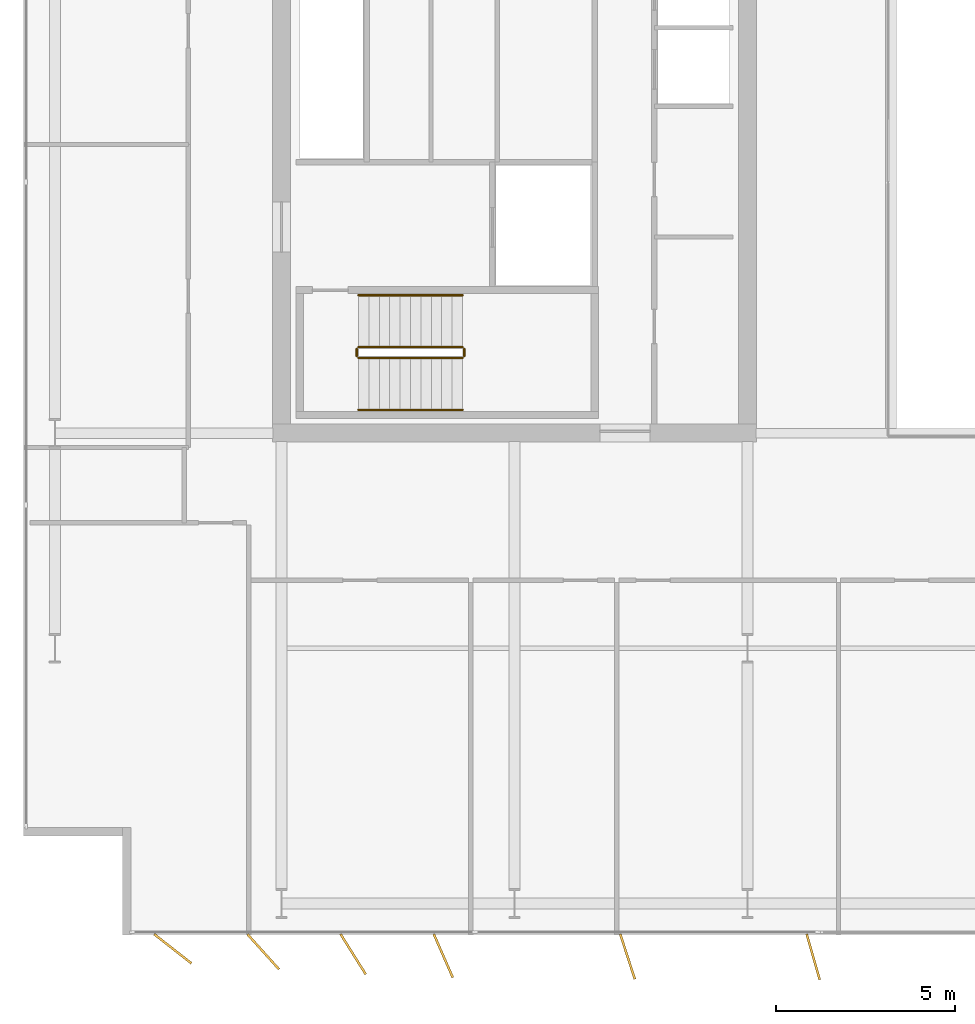
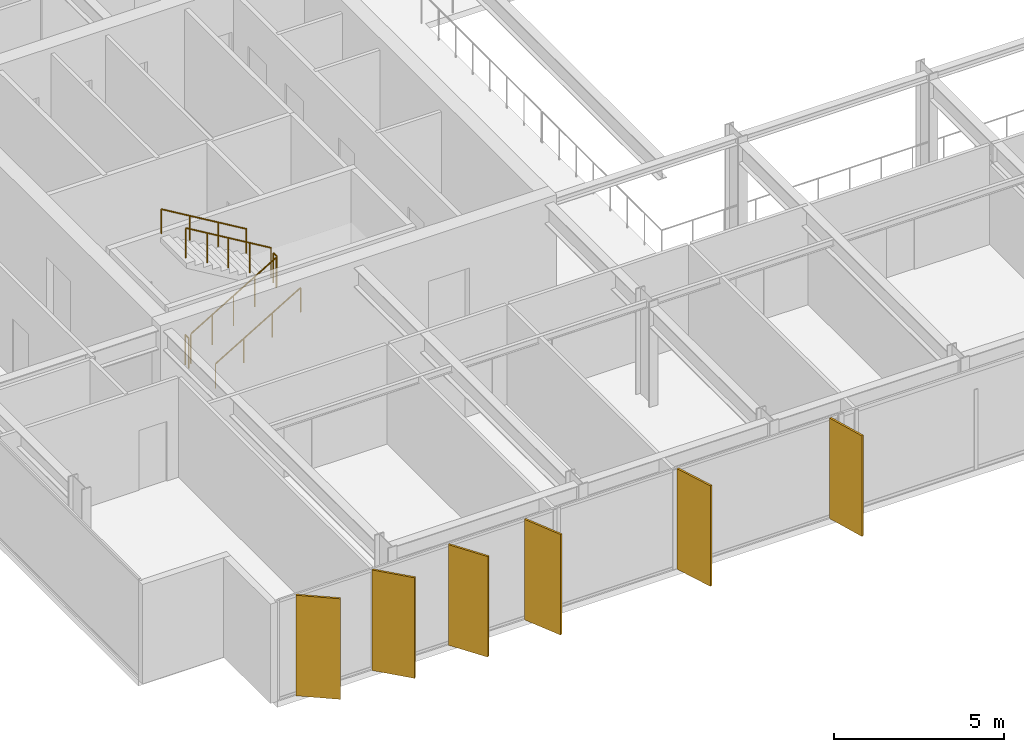
# One storey, part 20 of 23: 6 railings, 6 shading devices.
"""IFC4 building model written with IfcOpenShell, lengths in metres."""

from ifc_helpers import new_model, si_unit, direction, frame, origin, origin_2d, place, context, subcontext, project, spatial, rectangle, circle, extrude, material, layer, layer_set, type_object, element, save


model = new_model("IFC4")

# Units and contexts
model_context = context("Model", 3, precision=1e-05, world=origin(), true_north=direction((0.0, 1.0)))
body_context = subcontext(model_context, "Body", "Model", "MODEL_VIEW")
ifc_project = project(units=[si_unit("LENGTHUNIT", "METRE"), si_unit("AREAUNIT", "SQUARE_METRE"), si_unit("VOLUMEUNIT", "CUBIC_METRE"), si_unit("PLANEANGLEUNIT", "RADIAN"), si_unit("MASSUNIT", "GRAM", prefix="KILO")], contexts=[model_context])

# Site, building, storey
site_placement = place(None, origin())
site = spatial("IfcSite", under=ifc_project, at=site_placement, CompositionType="ELEMENT")
building_placement = place(site_placement, origin())
building = spatial("IfcBuilding", under=site, at=building_placement, Name="Putna Gate Headquarters", CompositionType="ELEMENT")
storey_placement = place(building_placement, frame((0.0, 0.0, 221.39990234375)))
storey = spatial("IfcBuildingStorey", under=building, at=storey_placement, Name="L55", CompositionType="ELEMENT", Elevation=221.39990234375)

# Railings
ifc_material_1 = material(Name="Powder-coated steel stair guardrail", Category="steel")
railing_type_1 = type_object("IfcRailingType", Name="RAIL-STAIR-GUARD-1100", PredefinedType="GUARDRAIL", material=ifc_material_1)
railing_1_placement = place(storey_placement, frame((15.14990234375, 21.10009765625, 0.1728515625)))
element("IfcRailing", 1, at=railing_1_placement, inside=storey, type_object=railing_type_1, Name="L55 ST1 stair guard 1", PredefinedType="GUARDRAIL", context=body_context, shape_type="SweptSolid", body=[
    extrude(circle(Radius=0.02392578125, at=origin_2d()), frame((0.0, 0.0, 1.076171875), z_axis=(0.859160404282, 0.0, 0.51170636083), x_axis=(0.0, 1.0, 0.0)), (0.0, 0.0, 1.0), 3.37548828125),
    extrude(circle(Radius=0.02099609375, at=origin_2d()), origin(), (0.0, 0.0, 1.0), 1.052001953125),
    extrude(circle(Radius=0.02099609375, at=origin_2d()), frame((0.72509765625, 0.0, 0.431884765625)), (0.0, 0.0, 1.0), 1.052001953125),
    extrude(circle(Radius=0.02099609375, at=origin_2d()), frame((1.4501953125, 0.0, 0.86376953125)), (0.0, 0.0, 1.0), 1.052001953125),
    extrude(circle(Radius=0.02099609375, at=origin_2d()), frame((2.175048828125, 0.0, 1.29541015625)), (0.0, 0.0, 1.0), 1.052001953125),
    extrude(circle(Radius=0.02099609375, at=origin_2d()), frame((2.900146484375, 0.0, 1.727294921875)), (0.0, 0.0, 1.0), 1.052001953125),
])
railing_2_placement = place(storey_placement, frame((18.10009765625, 21.14990234375, 1.900146484375)))
element("IfcRailing", 2, at=railing_2_placement, inside=storey, type_object=railing_type_1, Name="L55 ST1 stair guard 2", PredefinedType="GUARDRAIL", context=body_context, shape_type="SweptSolid", body=[
    extrude(circle(Radius=0.02392578125, at=origin_2d()), frame((0.0, 0.0, 1.076171875), z_axis=(0.0, 1.0, 0.0), x_axis=(-1.0, 0.0, 0.0)), (0.0, 0.0, 1.0), 0.2001953125),
    extrude(circle(Radius=0.02099609375, at=origin_2d()), origin(), (0.0, 0.0, 1.0), 1.052001953125),
    extrude(circle(Radius=0.02099609375, at=origin_2d()), frame((0.0, 0.2001953125, 0.0)), (0.0, 0.0, 1.0), 1.052001953125),
])
railing_3_placement = place(storey_placement, frame((18.050048828125, 21.39990234375, 2.07275390625)))
element("IfcRailing", 3, at=railing_3_placement, inside=storey, type_object=railing_type_1, Name="L55 ST1 stair guard 3", PredefinedType="GUARDRAIL", context=body_context, shape_type="SweptSolid", body=[
    extrude(circle(Radius=0.02392578125, at=origin_2d()), frame((0.0, 0.0, 1.076171875), z_axis=(-0.859160404282, 0.0, 0.51170636083), x_axis=(0.0, -1.0, 0.0)), (0.0, 0.0, 1.0), 3.37548828125),
    extrude(circle(Radius=0.02099609375, at=origin_2d()), origin(), (0.0, 0.0, 1.0), 1.052001953125),
    extrude(circle(Radius=0.02099609375, at=origin_2d()), frame((-0.72509765625, 0.0, 0.431884765625)), (0.0, 0.0, 1.0), 1.052001953125),
    extrude(circle(Radius=0.02099609375, at=origin_2d()), frame((-1.4501953125, 0.0, 0.86376953125)), (0.0, 0.0, 1.0), 1.052001953125),
    extrude(circle(Radius=0.02099609375, at=origin_2d()), frame((-2.175048828125, 0.0, 1.29541015625)), (0.0, 0.0, 1.0), 1.052001953125),
    extrude(circle(Radius=0.02099609375, at=origin_2d()), frame((-2.900146484375, 0.0, 1.727294921875)), (0.0, 0.0, 1.0), 1.052001953125),
])
railing_4_placement = place(storey_placement, frame((15.10009765625, 21.14990234375, 0.0)))
element("IfcRailing", 4, at=railing_4_placement, inside=storey, type_object=railing_type_1, Name="L55 ST1 stair guard 4", PredefinedType="GUARDRAIL", context=body_context, shape_type="SweptSolid", body=[
    extrude(circle(Radius=0.02392578125, at=origin_2d()), frame((0.0, 0.0, 1.076171875), z_axis=(0.0, 1.0, 0.0), x_axis=(-1.0, 0.0, 0.0)), (0.0, 0.0, 1.0), 0.2001953125),
    extrude(circle(Radius=0.02099609375, at=origin_2d()), origin(), (0.0, 0.0, 1.0), 1.052001953125),
    extrude(circle(Radius=0.02099609375, at=origin_2d()), frame((0.0, 0.2001953125, 0.0)), (0.0, 0.0, 1.0), 1.052001953125),
])
ifc_material_2 = material(Name="Brushed stainless steel handrail", Category="steel")
railing_type_2 = type_object("IfcRailingType", Name="RAIL-STAIR-HAND-900", PredefinedType="HANDRAIL", material=ifc_material_2)
railing_5_placement = place(storey_placement, frame((15.14990234375, 19.64990234375, 0.1728515625)))
element("IfcRailing", 5, at=railing_5_placement, inside=storey, type_object=railing_type_2, Name="L55 ST1 stair handrail 1", PredefinedType="HANDRAIL", context=body_context, shape_type="SweptSolid", body=[
    extrude(circle(Radius=0.02392578125, at=origin_2d()), frame((0.0, 0.0, 0.8759765625), z_axis=(0.859160404282, 0.0, 0.51170636083), x_axis=(0.0, 1.0, 0.0)), (0.0, 0.0, 1.0), 3.37548828125),
    extrude(circle(Radius=0.02099609375, at=origin_2d()), origin(), (0.0, 0.0, 1.0), 0.851806640625),
    extrude(circle(Radius=0.02099609375, at=origin_2d()), frame((0.966796875, 0.0, 0.57568359375)), (0.0, 0.0, 1.0), 0.851806640625),
    extrude(circle(Radius=0.02099609375, at=origin_2d()), frame((1.933349609375, 0.0, 1.151611328125)), (0.0, 0.0, 1.0), 0.851806640625),
    extrude(circle(Radius=0.02099609375, at=origin_2d()), frame((2.900146484375, 0.0, 1.727294921875)), (0.0, 0.0, 1.0), 0.851806640625),
])
railing_6_placement = place(storey_placement, frame((18.050048828125, 22.85009765625, 2.07275390625)))
element("IfcRailing", 6, at=railing_6_placement, inside=storey, type_object=railing_type_2, Name="L55 ST1 stair handrail 2", PredefinedType="HANDRAIL", context=body_context, shape_type="SweptSolid", body=[
    extrude(circle(Radius=0.02392578125, at=origin_2d()), frame((0.0, 0.0, 0.8759765625), z_axis=(-0.859160404282, 0.0, 0.51170636083), x_axis=(0.0, -1.0, 0.0)), (0.0, 0.0, 1.0), 3.37548828125),
    extrude(circle(Radius=0.02099609375, at=origin_2d()), origin(), (0.0, 0.0, 1.0), 0.851806640625),
    extrude(circle(Radius=0.02099609375, at=origin_2d()), frame((-0.966796875, 0.0, 0.57568359375)), (0.0, 0.0, 1.0), 0.851806640625),
    extrude(circle(Radius=0.02099609375, at=origin_2d()), frame((-1.933349609375, 0.0, 1.151611328125)), (0.0, 0.0, 1.0), 0.851806640625),
    extrude(circle(Radius=0.02099609375, at=origin_2d()), frame((-2.900146484375, 0.0, 1.727294921875)), (0.0, 0.0, 1.0), 0.851806640625),
])

# Shading devices
ifc_material_3 = material(Name="Anodised architectural bronze aluminium fin", Category="aluminium")
ifc_layer = layer(ifc_material_3, 0.06494140625)
ifc_layer_set = layer_set([ifc_layer], Name="Anodised architectural bronze aluminium fin")
shading_device_type = type_object("IfcShadingDeviceType", Name="SHADE-BRONZE-FIN-1320", PredefinedType="USERDEFINED", material=ifc_layer_set)
for number, where, z_axis, x_axis, name in (
    (7, (9.9697265625, 4.6181640625, -0.02001953125), (0.0, 0.0, 1.0), (0.787473187632, -0.616348909921, 0.0), "L55 Bronze Vertical Shading Fin S1"),
    (8, (12.49169921875, 4.534423828125, -0.02001953125), (0.0, 0.0, 1.0), (0.669130606359, -0.743144825477, 0.0), "L55 Bronze Vertical Shading Fin S2"),
    (9, (15.000244140625, 4.465576171875, -0.02001953125), (0.0, 0.0, 1.0), (0.530659123936, -0.847585331506, 0.0), "L55 Bronze Vertical Shading Fin S3"),
    (10, (17.514404296875, 4.42041015625, -0.02001953125), (0.0, 0.0, 1.0), (0.400668879095, -0.916222925562, 0.0), "L55 Bronze Vertical Shading Fin S4"),
    (11, (22.65380859375, 4.397216796875, -0.02001953125), (0.0, 0.0, 1.0), (0.308684994204, -0.951164325631, 0.0), "L55 Bronze Vertical Shading Fin S5"),
    (12, (27.831787109375, 4.390625, -0.02001953125), (0.0, 0.0, 1.0), (0.275637355817, -0.961261695938, 0.0), "L55 Bronze Vertical Shading Fin S6"),
):
    element("IfcShadingDevice", number, at=place(storey_placement, frame(where, z_axis=z_axis, x_axis=x_axis)), inside=storey, type_object=shading_device_type, Name=name, ObjectType="FIN", PredefinedType="USERDEFINED", context=body_context, shape_type="SweptSolid", body=[
        extrude(rectangle(XDim=1.320068359375, YDim=0.06494140625, at=origin_2d()), origin(), (0.0, 0.0, 1.0), 3.6201171875),
    ])

save(model, "model.ifc")
